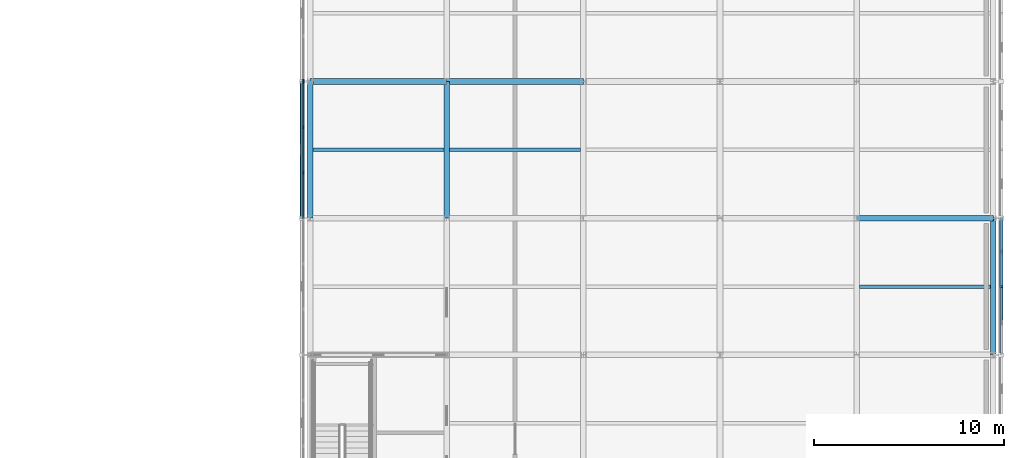
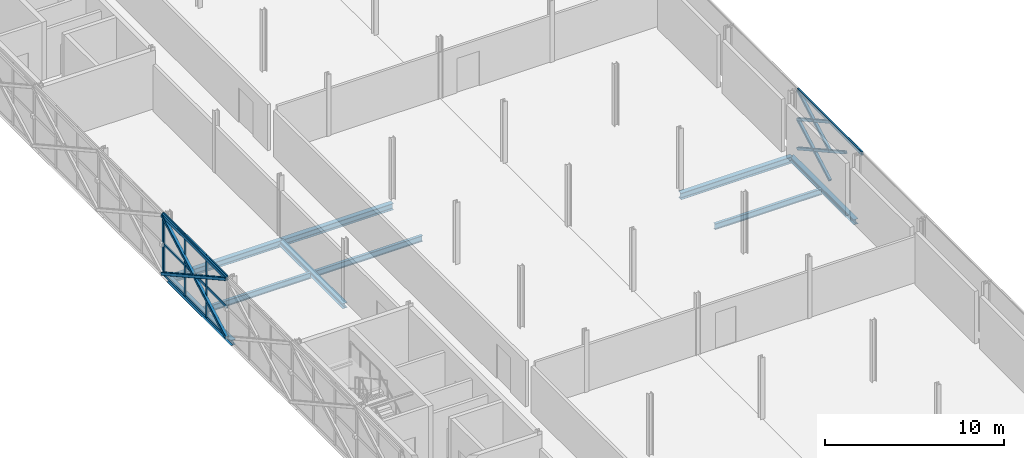
# One storey, part 73 of 146: 25 members, 9 beams, 2 elements without a shape of their own.
"""IFC4 building model written with IfcOpenShell, lengths in metres."""

from ifc_helpers import new_model, si_unit, direction, frame, origin, origin_2d, place, context, subcontext, project, spatial, rectangle, hollow_rectangle, i_section, extrude, material, material_profile, profile_set, type_object, element, aggregate, save


model = new_model("IFC4")

# Units and contexts
model_context = context("Model", 3, precision=1e-05, world=origin(), true_north=direction((0.0, 1.0)))
body_context = subcontext(model_context, "Body", "Model", "MODEL_VIEW")
ifc_project = project(units=[si_unit("LENGTHUNIT", "METRE"), si_unit("AREAUNIT", "SQUARE_METRE"), si_unit("VOLUMEUNIT", "CUBIC_METRE"), si_unit("PLANEANGLEUNIT", "RADIAN"), si_unit("MASSUNIT", "GRAM", prefix="KILO")], contexts=[model_context])

# Site, building, storey
site_placement = place(None, origin())
site = spatial("IfcSite", under=ifc_project, at=site_placement, CompositionType="ELEMENT")
building_placement = place(site_placement, origin())
building = spatial("IfcBuilding", under=site, at=building_placement, Name="Zlatovets Crest Museum", CompositionType="ELEMENT")
storey_placement = place(building_placement, frame((0.0, 0.0, 4.5)))
storey = spatial("IfcBuildingStorey", under=building, at=storey_placement, Name="L01", CompositionType="ELEMENT", Elevation=4.5)

# Beams
ifc_material_1 = material(Name="Structural steel S355J2", Category="steel")
ifc_material_profile_1 = material_profile(ifc_material_1, i_section(OverallWidth=0.300048828125, OverallDepth=0.35009765625, WebThickness=0.010009765625, FlangeThickness=0.017578125, FilletRadius=0.027099609375, at=origin_2d()), Name="HEA 360")
ifc_profile_set_1 = profile_set([ifc_material_profile_1], Name="Structural steel S355J2")
beam_type_1 = type_object("IfcBeamType", Name="Beam_B-03", PredefinedType="BEAM", material=ifc_profile_set_1)
for number, where, z_axis, x_axis, name in (
    (1, (129.60009765625, 57.60009765625, -0.39501953125), (0.0, 1.0, 0.0), (-1.0, 0.0, 0.0), "V5 L01 Grid Beam B-03"),
    (2, (136.800048828125, 57.60009765625, -0.39501953125), (0.0, 1.0, 0.0), (-1.0, 0.0, 0.0), "V5 L01 Grid Beam B-03"),
):
    element("IfcBeam", number, at=place(storey_placement, frame(where, z_axis=z_axis, x_axis=x_axis)), inside=storey, type_object=beam_type_1, Name=name, PredefinedType="BEAM", context=body_context, shape_type="SweptSolid", body=[
        extrude(i_section(OverallWidth=0.300048828125, OverallDepth=0.35009765625, WebThickness=0.010009765625, FlangeThickness=0.017578125, FilletRadius=0.027099609375, at=origin_2d()), origin(), (0.0, 0.0, 1.0), 7.199951171875),
    ])
beam_1_placement = place(storey_placement, frame((165.60009765625, 50.39990234375, -0.39501953125), z_axis=(0.0, 1.0, 0.0), x_axis=(-1.0, 0.0, 0.0)))
element("IfcBeam", 3, at=beam_1_placement, inside=storey, type_object=beam_type_1, Name="V5 L01 Grid Beam B-03", PredefinedType="BEAM", context=body_context, shape_type="SweptSolid", body=[
    extrude(i_section(OverallWidth=0.300048828125, OverallDepth=0.35009765625, WebThickness=0.010009765625, FlangeThickness=0.017578125, FilletRadius=0.027099609375, at=origin_2d()), origin(), (0.0, 0.0, 1.0), 7.2001953125),
])
ifc_material_profile_2 = material_profile(ifc_material_1, i_section(OverallWidth=0.300048828125, OverallDepth=0.43994140625, WebThickness=0.011474609375, FlangeThickness=0.02099609375, FilletRadius=0.027099609375, at=origin_2d()), Name="HEA 450")
ifc_profile_set_2 = profile_set([ifc_material_profile_2], Name="Structural steel S355J2")
beam_type_2 = type_object("IfcBeamType", Name="Beam_B-10", PredefinedType="BEAM", material=ifc_profile_set_2)
beam_2_placement = place(storey_placement, frame((158.39990234375, 57.60009765625, -0.43994140625), z_axis=(1.0, 0.0, 0.0), x_axis=(0.0, 1.0, 0.0)))
element("IfcBeam", 4, at=beam_2_placement, inside=storey, type_object=beam_type_2, Name="V5 L01 Primary Girder B-10", PredefinedType="BEAM", context=body_context, shape_type="SweptSolid", body=[
    extrude(i_section(OverallWidth=0.300048828125, OverallDepth=0.43994140625, WebThickness=0.011474609375, FlangeThickness=0.02099609375, FilletRadius=0.027099609375, at=origin_2d()), origin(), (0.0, 0.0, 1.0), 7.2001953125),
])
for number, where, z_axis, x_axis, name in (
    (5, (129.60009765625, 64.800048828125, -0.43994140625), (1.0, 0.0, 0.0), (0.0, 1.0, 0.0), "V5 L01 Primary Girder B-10"),
    (6, (136.800048828125, 64.800048828125, -0.43994140625), (1.0, 0.0, 0.0), (0.0, 1.0, 0.0), "V5 L01 Primary Girder B-10"),
):
    element("IfcBeam", number, at=place(storey_placement, frame(where, z_axis=z_axis, x_axis=x_axis)), inside=storey, type_object=beam_type_2, Name=name, PredefinedType="BEAM", context=body_context, shape_type="SweptSolid", body=[
        extrude(i_section(OverallWidth=0.300048828125, OverallDepth=0.43994140625, WebThickness=0.011474609375, FlangeThickness=0.02099609375, FilletRadius=0.027099609375, at=origin_2d()), origin(), (0.0, 0.0, 1.0), 7.199951171875),
    ])
ifc_material_profile_3 = material_profile(ifc_material_1, i_section(OverallWidth=0.179931640625, OverallDepth=0.39990234375, WebThickness=0.008544921875, FlangeThickness=0.013427734375, FilletRadius=0.02099609375, at=origin_2d()), Name="IPE 400")
ifc_profile_set_3 = profile_set([ifc_material_profile_3], Name="Structural steel S355J2")
beam_type_3 = type_object("IfcBeamType", Name="Beam_J-04", PredefinedType="JOIST", material=ifc_profile_set_3)
beam_3_placement = place(storey_placement, frame((129.75, 61.199951171875, -0.419921875), z_axis=(1.0, 0.0, 0.0), x_axis=(0.0, 1.0, 0.0)))
element("IfcBeam", 7, at=beam_3_placement, inside=storey, type_object=beam_type_3, Name="V5 L01 Composite Joist J-04", PredefinedType="JOIST", context=body_context, shape_type="SweptSolid", body=[
    extrude(i_section(OverallWidth=0.179931640625, OverallDepth=0.39990234375, WebThickness=0.008544921875, FlangeThickness=0.013427734375, FilletRadius=0.02099609375, at=origin_2d()), origin(), (0.0, 0.0, 1.0), 6.89990234375),
])
beam_4_placement = place(storey_placement, frame((136.949951171875, 61.199951171875, -0.419921875), z_axis=(1.0, 0.0, 0.0), x_axis=(0.0, 1.0, 0.0)))
element("IfcBeam", 8, at=beam_4_placement, inside=storey, type_object=beam_type_3, Name="V5 L01 Composite Joist J-04", PredefinedType="JOIST", context=body_context, shape_type="SweptSolid", body=[
    extrude(i_section(OverallWidth=0.179931640625, OverallDepth=0.39990234375, WebThickness=0.008544921875, FlangeThickness=0.013427734375, FilletRadius=0.02099609375, at=origin_2d()), origin(), (0.0, 0.0, 1.0), 6.900146484375),
])
beam_5_placement = place(storey_placement, frame((158.550048828125, 54.0, -0.419921875), z_axis=(1.0, 0.0, 0.0), x_axis=(0.0, 1.0, 0.0)))
element("IfcBeam", 9, at=beam_5_placement, inside=storey, type_object=beam_type_3, Name="V5 L01 Composite Joist J-04", PredefinedType="JOIST", context=body_context, shape_type="SweptSolid", body=[
    extrude(i_section(OverallWidth=0.179931640625, OverallDepth=0.39990234375, WebThickness=0.008544921875, FlangeThickness=0.013427734375, FilletRadius=0.02099609375, at=origin_2d()), origin(), (0.0, 0.0, 1.0), 6.89990234375),
])

# Curtain wall, member
ifc_material_2 = material(Name="Bronze-anodised aluminium and low-E triple glass", Category="aluminium")
curtain_wall_type_1 = type_object("IfcCurtainWallType", Name="CW_CW-V5-L01-M2", PredefinedType="NOTDEFINED", material=ifc_material_2)
curtain_wall_1_placement = place(storey_placement, origin())
curtain_wall_1 = element("IfcCurtainWall", 10, at=curtain_wall_1_placement, inside=storey, type_object=curtain_wall_type_1, Name="V5 L01 Secession Foyer Clear Curtain Wall", PredefinedType="NOTDEFINED")
ifc_material_3 = material(Name="Bronze-anodised aluminium EN AW-6060", Category="aluminium")
ifc_material_profile_4 = material_profile(ifc_material_3, rectangle(XDim=0.080078125, YDim=0.159912109375, at=origin_2d()), Name="ALU 80x160")
ifc_profile_set_4 = profile_set([ifc_material_profile_4], Name="Bronze-anodised aluminium EN AW-6060")
member_type_1 = type_object("IfcMemberType", Name="CWMull_M1", PredefinedType="MULLION", material=ifc_profile_set_4)
member_1_placement = place(storey_placement, frame((129.260009765625, 64.830078125, 0.0), z_axis=(0.0, 0.0, 1.0), x_axis=(1.0, 0.0, 0.0)))
member_1 = element("IfcMember", 11, at=member_1_placement, type_object=member_type_1, Name="CW-V5-L01-M2 mullion 4", PredefinedType="MULLION", context=body_context, shape_type="SweptSolid", body=[
    extrude(rectangle(XDim=0.080078125, YDim=0.159912109375, at=origin_2d()), origin(), (0.0, 0.0, 1.0), 4.199951171875),
])
aggregate(curtain_wall_1, [member_1])

# Curtain wall, members
curtain_wall_type_2 = type_object("IfcCurtainWallType", Name="CW_CW-V5-L01-M3", PredefinedType="NOTDEFINED", material=ifc_material_2)
curtain_wall_2_placement = place(storey_placement, origin())
curtain_wall_2 = element("IfcCurtainWall", 12, at=curtain_wall_2_placement, inside=storey, type_object=curtain_wall_type_2, Name="V5 L01 Secession Foyer Clear Curtain Wall", PredefinedType="NOTDEFINED")
member_2_placement = place(storey_placement, frame((129.260009765625, 64.77001953125, 0.0), z_axis=(0.0, 0.0, 1.0), x_axis=(1.0, 0.0, 0.0)))
member_2 = element("IfcMember", 13, at=member_2_placement, type_object=member_type_1, Name="CW-V5-L01-M3 mullion 1", PredefinedType="MULLION", context=body_context, shape_type="SweptSolid", body=[
    extrude(rectangle(XDim=0.080078125, YDim=0.159912109375, at=origin_2d()), origin(), (0.0, 0.0, 1.0), 4.199951171875),
])
member_3_placement = place(storey_placement, frame((129.260009765625, 62.39990234375, 0.0), z_axis=(0.0, 0.0, 1.0), x_axis=(1.0, 0.0, 0.0)))
member_3 = element("IfcMember", 14, at=member_3_placement, type_object=member_type_1, Name="CW-V5-L01-M3 mullion 2", PredefinedType="MULLION", context=body_context, shape_type="SweptSolid", body=[
    extrude(rectangle(XDim=0.080078125, YDim=0.159912109375, at=origin_2d()), origin(), (0.0, 0.0, 1.0), 4.199951171875),
])
member_4_placement = place(storey_placement, frame((129.260009765625, 60.0, 0.0), z_axis=(0.0, 0.0, 1.0), x_axis=(1.0, 0.0, 0.0)))
member_4 = element("IfcMember", 15, at=member_4_placement, type_object=member_type_1, Name="CW-V5-L01-M3 mullion 3", PredefinedType="MULLION", context=body_context, shape_type="SweptSolid", body=[
    extrude(rectangle(XDim=0.080078125, YDim=0.159912109375, at=origin_2d()), origin(), (0.0, 0.0, 1.0), 4.199951171875),
])
ifc_material_profile_5 = material_profile(ifc_material_3, rectangle(XDim=0.080078125, YDim=0.159912109375, at=origin_2d()), Name="ALU 80x160")
ifc_profile_set_5 = profile_set([ifc_material_profile_5], Name="Bronze-anodised aluminium EN AW-6060")
member_type_2 = type_object("IfcMemberType", Name="CWTrans_T1", PredefinedType="USERDEFINED", material=ifc_profile_set_5)
member_5_placement = place(storey_placement, frame((129.260009765625, 64.739990234375, 0.030029296875), z_axis=(0.0, -1.0, 0.0), x_axis=(1.0, 0.0, 0.0)))
member_5 = element("IfcMember", 16, at=member_5_placement, type_object=member_type_2, Name="CW-V5-L01-M3 transom 1.1", ObjectType="TRANSOM", PredefinedType="USERDEFINED", context=body_context, shape_type="SweptSolid", body=[
    extrude(rectangle(XDim=0.080078125, YDim=0.159912109375, at=origin_2d()), origin(), (0.0, 0.0, 1.0), 2.31005859375),
])
member_6_placement = place(storey_placement, frame((129.260009765625, 64.739990234375, 2.10009765625), z_axis=(0.0, -1.0, 0.0), x_axis=(1.0, 0.0, 0.0)))
member_6 = element("IfcMember", 17, at=member_6_placement, type_object=member_type_2, Name="CW-V5-L01-M3 transom 1.2", ObjectType="TRANSOM", PredefinedType="USERDEFINED", context=body_context, shape_type="SweptSolid", body=[
    extrude(rectangle(XDim=0.080078125, YDim=0.159912109375, at=origin_2d()), origin(), (0.0, 0.0, 1.0), 2.31005859375),
])
member_7_placement = place(storey_placement, frame((129.260009765625, 64.739990234375, 4.169921875), z_axis=(0.0, -1.0, 0.0), x_axis=(1.0, 0.0, 0.0)))
member_7 = element("IfcMember", 18, at=member_7_placement, type_object=member_type_2, Name="CW-V5-L01-M3 transom 1.3", ObjectType="TRANSOM", PredefinedType="USERDEFINED", context=body_context, shape_type="SweptSolid", body=[
    extrude(rectangle(XDim=0.080078125, YDim=0.159912109375, at=origin_2d()), origin(), (0.0, 0.0, 1.0), 2.31005859375),
])
member_8_placement = place(storey_placement, frame((129.260009765625, 62.3701171875, 0.030029296875), z_axis=(0.0, -1.0, 0.0), x_axis=(1.0, 0.0, 0.0)))
member_8 = element("IfcMember", 19, at=member_8_placement, type_object=member_type_2, Name="CW-V5-L01-M3 transom 2.1", ObjectType="TRANSOM", PredefinedType="USERDEFINED", context=body_context, shape_type="SweptSolid", body=[
    extrude(rectangle(XDim=0.080078125, YDim=0.159912109375, at=origin_2d()), origin(), (0.0, 0.0, 1.0), 2.340087890625),
])
member_9_placement = place(storey_placement, frame((129.260009765625, 62.3701171875, 2.10009765625), z_axis=(0.0, -1.0, 0.0), x_axis=(1.0, 0.0, 0.0)))
member_9 = element("IfcMember", 20, at=member_9_placement, type_object=member_type_2, Name="CW-V5-L01-M3 transom 2.2", ObjectType="TRANSOM", PredefinedType="USERDEFINED", context=body_context, shape_type="SweptSolid", body=[
    extrude(rectangle(XDim=0.080078125, YDim=0.159912109375, at=origin_2d()), origin(), (0.0, 0.0, 1.0), 2.340087890625),
])
member_10_placement = place(storey_placement, frame((129.260009765625, 62.3701171875, 4.169921875), z_axis=(0.0, -1.0, 0.0), x_axis=(1.0, 0.0, 0.0)))
member_10 = element("IfcMember", 21, at=member_10_placement, type_object=member_type_2, Name="CW-V5-L01-M3 transom 2.3", ObjectType="TRANSOM", PredefinedType="USERDEFINED", context=body_context, shape_type="SweptSolid", body=[
    extrude(rectangle(XDim=0.080078125, YDim=0.159912109375, at=origin_2d()), origin(), (0.0, 0.0, 1.0), 2.340087890625),
])
member_11_placement = place(storey_placement, frame((129.260009765625, 59.969970703125, 0.030029296875), z_axis=(0.0, -1.0, 0.0), x_axis=(1.0, 0.0, 0.0)))
member_11 = element("IfcMember", 22, at=member_11_placement, type_object=member_type_2, Name="CW-V5-L01-M3 transom 3.1", ObjectType="TRANSOM", PredefinedType="USERDEFINED", context=body_context, shape_type="SweptSolid", body=[
    extrude(rectangle(XDim=0.080078125, YDim=0.159912109375, at=origin_2d()), origin(), (0.0, 0.0, 1.0), 2.31005859375),
])
member_12_placement = place(storey_placement, frame((129.260009765625, 59.969970703125, 2.10009765625), z_axis=(0.0, -1.0, 0.0), x_axis=(1.0, 0.0, 0.0)))
member_12 = element("IfcMember", 23, at=member_12_placement, type_object=member_type_2, Name="CW-V5-L01-M3 transom 3.2", ObjectType="TRANSOM", PredefinedType="USERDEFINED", context=body_context, shape_type="SweptSolid", body=[
    extrude(rectangle(XDim=0.080078125, YDim=0.159912109375, at=origin_2d()), origin(), (0.0, 0.0, 1.0), 2.31005859375),
])
member_13_placement = place(storey_placement, frame((129.260009765625, 59.969970703125, 4.169921875), z_axis=(0.0, -1.0, 0.0), x_axis=(1.0, 0.0, 0.0)))
member_13 = element("IfcMember", 24, at=member_13_placement, type_object=member_type_2, Name="CW-V5-L01-M3 transom 3.3", ObjectType="TRANSOM", PredefinedType="USERDEFINED", context=body_context, shape_type="SweptSolid", body=[
    extrude(rectangle(XDim=0.080078125, YDim=0.159912109375, at=origin_2d()), origin(), (0.0, 0.0, 1.0), 2.31005859375),
])
aggregate(curtain_wall_2, [member_2, member_3, member_4, member_5, member_6, member_7, member_8, member_9, member_10, member_11, member_12, member_13])

# Members
ifc_material_4 = material(Name="Weathering bronze-steel S355J2W", Category="steel")
ifc_material_profile_6 = material_profile(ifc_material_4, hollow_rectangle(XDim=0.179931640625, YDim=0.179931640625, WallThickness=0.010009765625, InnerFilletRadius=0.010009765625, OuterFilletRadius=0.02001953125, at=origin_2d()), Name="SHS 180x180x10.0")
ifc_profile_set_6 = profile_set([ifc_material_profile_6], Name="Weathering bronze-steel S355J2W")
member_type_3 = type_object("IfcMemberType", Name="Lattice_XL-01", PredefinedType="BRACE", material=ifc_profile_set_6)
member_14_placement = place(storey_placement, frame((166.02001953125, 54.0, 0.10009765625), z_axis=(0.0, 0.874162868644, 0.485632864501), x_axis=(-1.0, 0.0, 0.0)))
element("IfcMember", 25, at=member_14_placement, inside=storey, type_object=member_type_3, Name="Continuous Bronze Lattice Diagonal", PredefinedType="BRACE", context=body_context, shape_type="SweptSolid", body=[
    extrude(hollow_rectangle(XDim=0.179931640625, YDim=0.179931640625, WallThickness=0.010009765625, InnerFilletRadius=0.010009765625, OuterFilletRadius=0.02001953125, at=origin_2d()), origin(), (0.0, 0.0, 1.0), 4.118408203125),
])
member_15_placement = place(storey_placement, frame((166.02001953125, 54.0, 2.10009765625), z_axis=(0.0, 0.874116234569, -0.48571679862), x_axis=(-1.0, 0.0, 0.0)))
element("IfcMember", 26, at=member_15_placement, inside=storey, type_object=member_type_3, Name="Split Crossing Bronze Lattice Diagonal Upper", PredefinedType="BRACE", context=body_context, shape_type="SweptSolid", body=[
    extrude(hollow_rectangle(XDim=0.179931640625, YDim=0.179931640625, WallThickness=0.010009765625, InnerFilletRadius=0.010009765625, OuterFilletRadius=0.02001953125, at=origin_2d()), origin(), (0.0, 0.0, 1.0), 1.96435546875),
])
for number, where, z_axis, x_axis, name in (
    (27, (166.02001953125, 55.883056640625, 1.053955078125), (0.0, 0.874169001841, -0.485621824284), (-1.0, 0.0, 0.0), "Split Crossing Bronze Lattice Diagonal Lower"),
    (28, (166.02001953125, 52.282958984375, 3.053955078125), (0.0, 0.874169001841, -0.485621824284), (-1.0, 0.0, 0.0), "Split Crossing Bronze Lattice Diagonal Lower"),
):
    element("IfcMember", number, at=place(storey_placement, frame(where, z_axis=z_axis, x_axis=x_axis)), inside=storey, type_object=member_type_3, Name=name, PredefinedType="BRACE", context=body_context, shape_type="SweptSolid", body=[
        extrude(hollow_rectangle(XDim=0.179931640625, YDim=0.179931640625, WallThickness=0.010009765625, InnerFilletRadius=0.010009765625, OuterFilletRadius=0.02001953125, at=origin_2d()), origin(), (0.0, 0.0, 1.0), 1.964111328125),
    ])
member_16_placement = place(storey_placement, frame((166.02001953125, 54.0, 2.10009765625), z_axis=(0.0, 0.874162868644, 0.485632864501), x_axis=(-1.0, 0.0, 0.0)))
element("IfcMember", 29, at=member_16_placement, inside=storey, type_object=member_type_3, Name="Continuous Bronze Lattice Diagonal", PredefinedType="BRACE", context=body_context, shape_type="SweptSolid", body=[
    extrude(hollow_rectangle(XDim=0.179931640625, YDim=0.179931640625, WallThickness=0.010009765625, InnerFilletRadius=0.010009765625, OuterFilletRadius=0.02001953125, at=origin_2d()), origin(), (0.0, 0.0, 1.0), 4.118408203125),
])
member_17_placement = place(storey_placement, frame((166.02001953125, 54.0, 4.10009765625), z_axis=(0.0, 0.874116234569, -0.48571679862), x_axis=(-1.0, 0.0, 0.0)))
element("IfcMember", 30, at=member_17_placement, inside=storey, type_object=member_type_3, Name="Split Crossing Bronze Lattice Diagonal Upper", PredefinedType="BRACE", context=body_context, shape_type="SweptSolid", body=[
    extrude(hollow_rectangle(XDim=0.179931640625, YDim=0.179931640625, WallThickness=0.010009765625, InnerFilletRadius=0.010009765625, OuterFilletRadius=0.02001953125, at=origin_2d()), origin(), (0.0, 0.0, 1.0), 1.96435546875),
])
member_18_placement = place(storey_placement, frame((166.02001953125, 55.883056640625, 3.053955078125), z_axis=(0.0, 0.874169001841, -0.485621824284), x_axis=(-1.0, 0.0, 0.0)))
element("IfcMember", 31, at=member_18_placement, inside=storey, type_object=member_type_3, Name="Split Crossing Bronze Lattice Diagonal Lower", PredefinedType="BRACE", context=body_context, shape_type="SweptSolid", body=[
    extrude(hollow_rectangle(XDim=0.179931640625, YDim=0.179931640625, WallThickness=0.010009765625, InnerFilletRadius=0.010009765625, OuterFilletRadius=0.02001953125, at=origin_2d()), origin(), (0.0, 0.0, 1.0), 1.964111328125),
])
ifc_material_profile_7 = material_profile(ifc_material_4, hollow_rectangle(XDim=0.199951171875, YDim=0.199951171875, WallThickness=0.012451171875, InnerFilletRadius=0.012451171875, OuterFilletRadius=0.02490234375, at=origin_2d()), Name="SHS 200x200x12.5")
ifc_profile_set_7 = profile_set([ifc_material_profile_7], Name="Weathering bronze-steel S355J2W")
member_type_4 = type_object("IfcMemberType", Name="Lattice_XL-02", PredefinedType="BRACE", material=ifc_profile_set_7)
member_19_placement = place(storey_placement, frame((129.179931640625, 64.800048828125, 0.10009765625), z_axis=(0.0, -0.874155877937, 0.485645447903), x_axis=(1.0, 0.0, 0.0)))
element("IfcMember", 32, at=member_19_placement, inside=storey, type_object=member_type_4, Name="Continuous Bronze Lattice Diagonal", PredefinedType="BRACE", context=body_context, shape_type="SweptSolid", body=[
    extrude(hollow_rectangle(XDim=0.199951171875, YDim=0.199951171875, WallThickness=0.012451171875, InnerFilletRadius=0.012451171875, OuterFilletRadius=0.02490234375, at=origin_2d()), origin(), (0.0, 0.0, 1.0), 8.236572265625),
])
member_20_placement = place(storey_placement, frame((129.179931640625, 64.800048828125, 4.10009765625), z_axis=(0.0, -0.874140102304, -0.485673842763), x_axis=(1.0, 0.0, 0.0)))
element("IfcMember", 33, at=member_20_placement, inside=storey, type_object=member_type_4, Name="Split Crossing Bronze Lattice Diagonal Upper", PredefinedType="BRACE", context=body_context, shape_type="SweptSolid", body=[
    extrude(hollow_rectangle(XDim=0.199951171875, YDim=0.199951171875, WallThickness=0.012451171875, InnerFilletRadius=0.012451171875, OuterFilletRadius=0.02490234375, at=origin_2d()), origin(), (0.0, 0.0, 1.0), 4.0234375),
])
member_21_placement = place(storey_placement, frame((129.179931640625, 61.116943359375, 2.053955078125), z_axis=(0.0, -0.874151551165, -0.485653235958), x_axis=(1.0, 0.0, 0.0)))
element("IfcMember", 34, at=member_21_placement, inside=storey, type_object=member_type_4, Name="Split Crossing Bronze Lattice Diagonal Lower", PredefinedType="BRACE", context=body_context, shape_type="SweptSolid", body=[
    extrude(hollow_rectangle(XDim=0.199951171875, YDim=0.199951171875, WallThickness=0.012451171875, InnerFilletRadius=0.012451171875, OuterFilletRadius=0.02490234375, at=origin_2d()), origin(), (0.0, 0.0, 1.0), 4.023193359375),
])
ifc_material_profile_8 = material_profile(ifc_material_4, hollow_rectangle(XDim=0.1201171875, YDim=0.239990234375, WallThickness=0.010009765625, InnerFilletRadius=0.010009765625, OuterFilletRadius=0.02001953125, at=origin_2d()), Name="RHS 120x240x10.0")
ifc_profile_set_8 = profile_set([ifc_material_profile_8], Name="Weathering bronze-steel S355J2W")
member_type_5 = type_object("IfcMemberType", Name="Lattice_XL-04", PredefinedType="CHORD", material=ifc_profile_set_8)
member_22_placement = place(storey_placement, frame((166.02001953125, 50.39990234375, 4.10009765625), z_axis=(0.0, 1.0, 0.0), x_axis=(-1.0, 0.0, 0.0)))
element("IfcMember", 35, at=member_22_placement, inside=storey, type_object=member_type_5, Name="Art Nouveau Woven Cage Collector Ring Chord", PredefinedType="CHORD", context=body_context, shape_type="SweptSolid", body=[
    extrude(hollow_rectangle(XDim=0.1201171875, YDim=0.239990234375, WallThickness=0.010009765625, InnerFilletRadius=0.010009765625, OuterFilletRadius=0.02001953125, at=origin_2d()), origin(), (0.0, 0.0, 1.0), 7.2001953125),
])
member_23_placement = place(storey_placement, frame((129.179931640625, 64.800048828125, 4.10009765625), z_axis=(0.0, -1.0, 0.0), x_axis=(1.0, 0.0, 0.0)))
element("IfcMember", 36, at=member_23_placement, inside=storey, type_object=member_type_5, Name="Art Nouveau Woven Cage Collector Ring Chord", PredefinedType="CHORD", context=body_context, shape_type="SweptSolid", body=[
    extrude(hollow_rectangle(XDim=0.1201171875, YDim=0.239990234375, WallThickness=0.010009765625, InnerFilletRadius=0.010009765625, OuterFilletRadius=0.02001953125, at=origin_2d()), origin(), (0.0, 0.0, 1.0), 7.199951171875),
])

save(model, "model.ifc")
